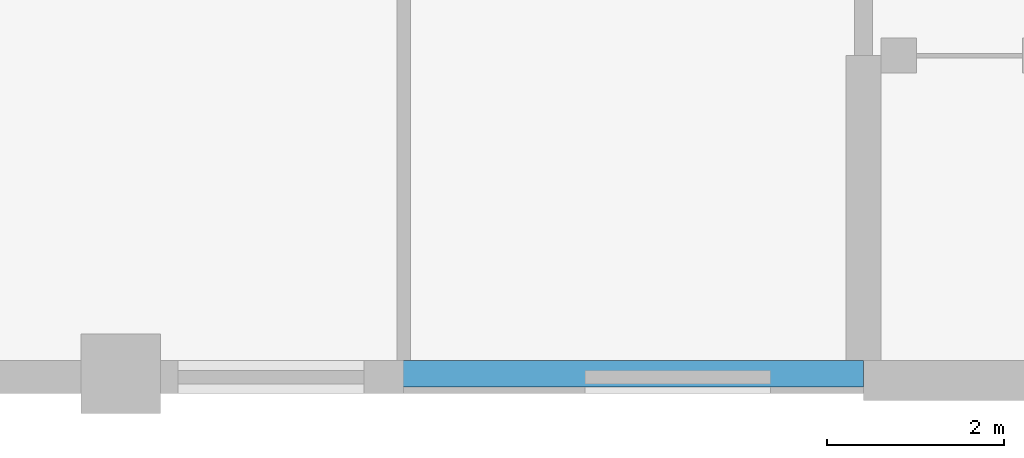
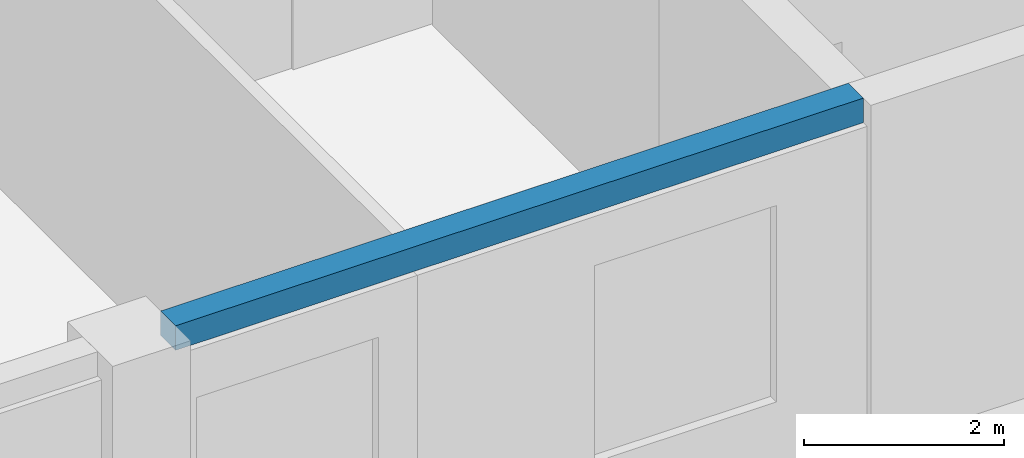
# One storey, part 4 of 66: 1 beam.
"""IFC4 building model written with IfcOpenShell, lengths in metres."""

from ifc_helpers import new_model, si_unit, direction, frame, origin, origin_2d, place, context, subcontext, project, spatial, rectangle, extrude, material, material_profile, profile_set, type_object, element, save


model = new_model("IFC4")

# Units and contexts
model_context = context("Model", 3, precision=1e-05, world=origin(), true_north=direction((0.0, 1.0)))
body_context = subcontext(model_context, "Body", "Model", "MODEL_VIEW")
ifc_project = project(units=[si_unit("LENGTHUNIT", "METRE"), si_unit("AREAUNIT", "SQUARE_METRE"), si_unit("VOLUMEUNIT", "CUBIC_METRE"), si_unit("PLANEANGLEUNIT", "RADIAN"), si_unit("MASSUNIT", "GRAM", prefix="KILO")], contexts=[model_context])

# Site, building, storey
site_placement = place(None, origin())
site = spatial("IfcSite", under=ifc_project, at=site_placement, CompositionType="ELEMENT")
building_placement = place(site_placement, origin())
building = spatial("IfcBuilding", under=site, at=building_placement, Name="Yavir Park General Hospital", CompositionType="ELEMENT")
storey_placement = place(building_placement, frame((0.0, 0.0, 8.39990234375)))
storey = spatial("IfcBuildingStorey", under=building, at=storey_placement, Name="L02", CompositionType="ELEMENT", Elevation=8.39990234375)

# Beam
ifc_material = material(Name="Concrete C35/45", Category="concrete")
ifc_material_profile = material_profile(ifc_material, rectangle(XDim=0.300048828125, YDim=0.300048828125, at=origin_2d()), Name="RC300x300")
ifc_profile_set = profile_set([ifc_material_profile], Name="Concrete C35/45")
beam_type = type_object("IfcBeamType", Name="RC BEAM 300x300 edge beam", PredefinedType="BEAM", material=ifc_profile_set)
beam_placement = place(storey_placement, frame((59.25, 0.0, 4.050048828125), z_axis=(1.0, 0.0, 0.0), x_axis=(0.0, 1.0, 0.0)))
element("IfcBeam", 1, at=beam_placement, inside=storey, type_object=beam_type, Name="B:EDGE:L02:007", PredefinedType="BEAM", context=body_context, shape_type="SweptSolid", body=[
    extrude(rectangle(XDim=0.300048828125, YDim=0.300048828125, at=origin_2d()), origin(), (0.0, 0.0, 1.0), 7.949951171875),
])

save(model, "model.ifc")
